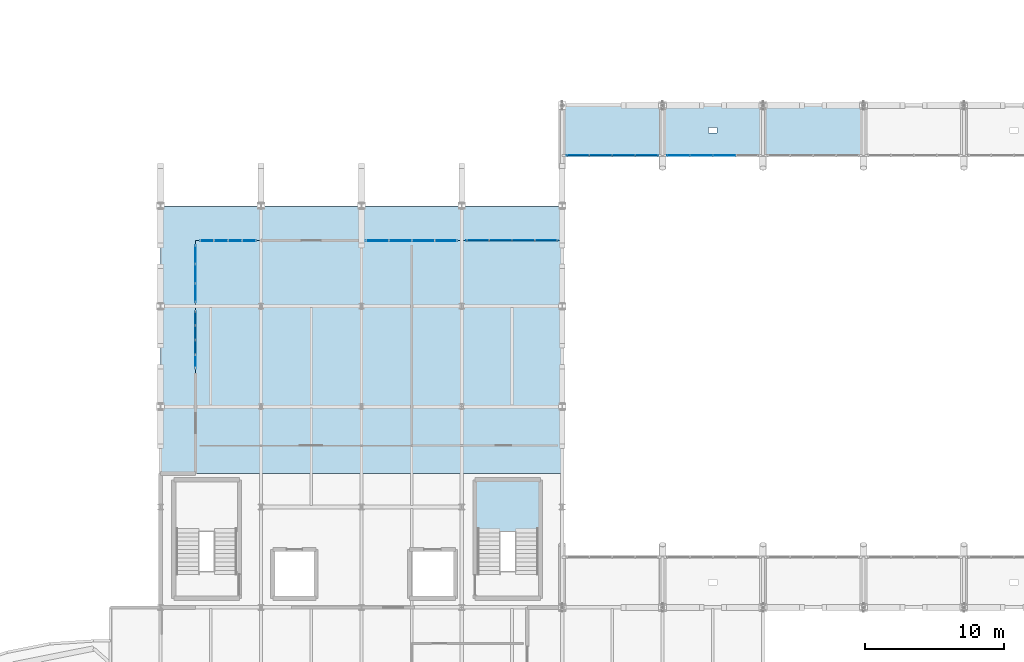
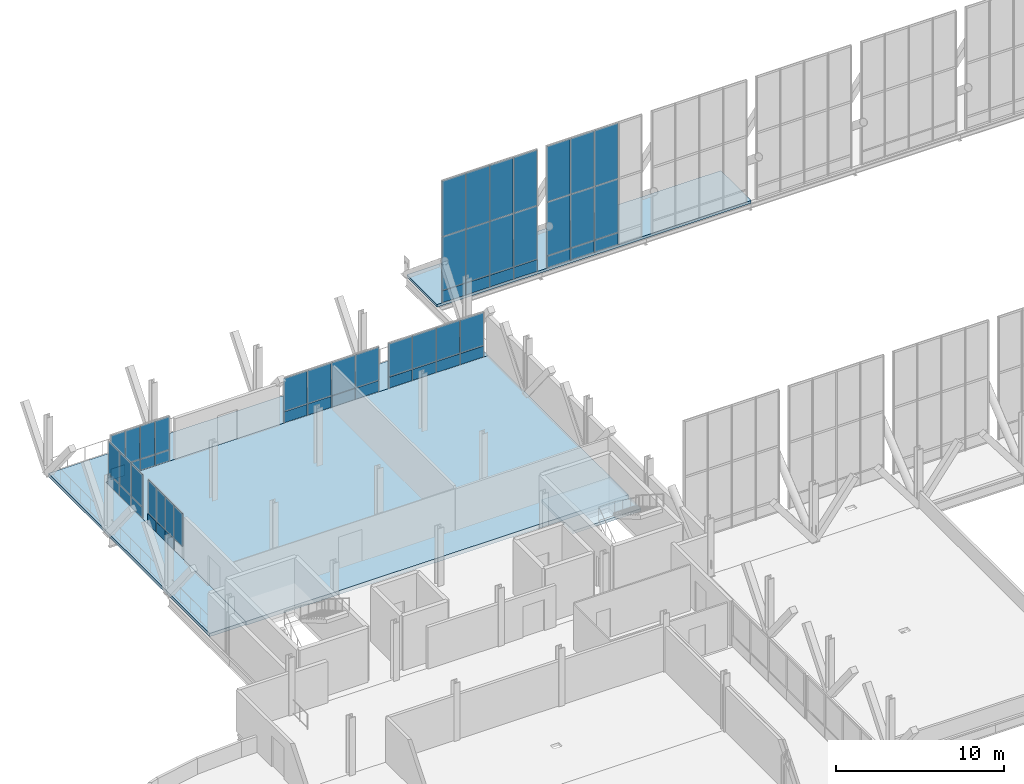
# One storey, part 78 of 102: 58 plates, 4 slabs, 8 elements without a shape of their own.
"""IFC4 building model written with IfcOpenShell, lengths in metres."""

from ifc_helpers import new_model, si_unit, direction, frame, origin, origin_2d, place, context, subcontext, project, spatial, polyline, rectangle, outline, extrude, material, layer, layer_set, type_object, element, aggregate, save


model = new_model("IFC4")

# Units and contexts
model_context = context("Model", 3, precision=1e-05, world=origin(), true_north=direction((0.0, 1.0)))
body_context = subcontext(model_context, "Body", "Model", "MODEL_VIEW")
ifc_project = project(units=[si_unit("LENGTHUNIT", "METRE"), si_unit("AREAUNIT", "SQUARE_METRE"), si_unit("VOLUMEUNIT", "CUBIC_METRE"), si_unit("PLANEANGLEUNIT", "RADIAN"), si_unit("MASSUNIT", "GRAM", prefix="KILO")], contexts=[model_context])

# Site, building, storey
site_placement = place(None, origin())
site = spatial("IfcSite", under=ifc_project, at=site_placement, CompositionType="ELEMENT")
building_placement = place(site_placement, origin())
building = spatial("IfcBuilding", under=site, at=building_placement, Name="Yarey Park Central Fire Station", CompositionType="ELEMENT")
storey_placement = place(building_placement, frame((0.0, 0.0, 6.0)))
storey = spatial("IfcBuildingStorey", under=building, at=storey_placement, Name="L02", CompositionType="ELEMENT", Elevation=6.0)

# Curtain wall, plates
ifc_material_1 = material(Name="Anodized Aluminium Frame", Category="aluminium")
curtain_wall_type_1 = type_object("IfcCurtainWallType", Name="ENV_CW_CLER_9M", PredefinedType="NOTDEFINED", material=ifc_material_1)
curtain_wall_1_placement = place(storey_placement, origin())
curtain_wall_1 = element("IfcCurtainWall", 1, at=curtain_wall_1_placement, inside=storey, type_object=curtain_wall_type_1, Name="CW_V2_CLER_N_02", PredefinedType="NOTDEFINED")
ifc_material_2 = material(Name="Insulated Aluminium Spandrel Panel", Category="aluminium")
ifc_layer_1 = layer(ifc_material_2, 0.055908203125)
ifc_layer_set_1 = layer_set([ifc_layer_1], Name="Insulated Aluminium Spandrel Panel")
plate_type_1 = type_object("IfcPlateType", Name="ENV_PNL_SPN_01", PredefinedType="CURTAIN_PANEL", material=ifc_layer_set_1)
plate_1_placement = place(storey_placement, frame((69.222412109375, 90.0, 0.04248046875), z_axis=(0.0, 0.0, 1.0), x_axis=(-1.0, 0.0, 0.0)))
plate_1 = element("IfcPlate", 2, at=plate_1_placement, type_object=plate_type_1, Name="CW_V2_CLER_N_02_PNL04", PredefinedType="CURTAIN_PANEL", context=body_context, shape_type="SweptSolid", body=[
    extrude(rectangle(XDim=1.60498046875, YDim=0.055908203125, at=origin_2d()), origin(), (0.0, 0.0, 1.0), 0.840087890625),
])
plate_2_placement = place(storey_placement, frame((67.577392578125, 90.0, 0.04248046875), z_axis=(0.0, 0.0, 1.0), x_axis=(-1.0, 0.0, 0.0)))
plate_2 = element("IfcPlate", 3, at=plate_2_placement, type_object=plate_type_1, Name="CW_V2_CLER_N_02_PNL07", PredefinedType="CURTAIN_PANEL", context=body_context, shape_type="SweptSolid", body=[
    extrude(rectangle(XDim=1.60498046875, YDim=0.055908203125, at=origin_2d()), origin(), (0.0, 0.0, 1.0), 0.840087890625),
])
plate_3_placement = place(storey_placement, frame((65.9326171875, 90.0, 0.04248046875), z_axis=(0.0, 0.0, 1.0), x_axis=(-1.0, 0.0, 0.0)))
plate_3 = element("IfcPlate", 4, at=plate_3_placement, type_object=plate_type_1, Name="CW_V2_CLER_N_02_PNL10", PredefinedType="CURTAIN_PANEL", context=body_context, shape_type="SweptSolid", body=[
    extrude(rectangle(XDim=1.60498046875, YDim=0.055908203125, at=origin_2d()), origin(), (0.0, 0.0, 1.0), 0.840087890625),
])

curtain_wall_type_2 = type_object("IfcCurtainWallType", Name="ENV_CW_V3_GALW", PredefinedType="NOTDEFINED", material=ifc_material_1)
curtain_wall_2_placement = place(storey_placement, origin())
curtain_wall_2 = element("IfcCurtainWall", 5, at=curtain_wall_2_placement, inside=storey, type_object=curtain_wall_type_2, Name="CW_L02_V3_W_036", PredefinedType="NOTDEFINED")
plate_4_placement = place(storey_placement, frame((31.300048828125, 80.148193359375, 0.04248046875), z_axis=(0.0, 0.0, 1.0), x_axis=(0.0, 1.0, 0.0)))
plate_4 = element("IfcPlate", 6, at=plate_4_placement, type_object=plate_type_1, Name="CW_L02_V3_W_036_PNL01", PredefinedType="CURTAIN_PANEL", context=body_context, shape_type="SweptSolid", body=[
    extrude(rectangle(XDim=1.336669921875, YDim=0.055908203125, at=origin_2d()), origin(), (0.0, 0.0, 1.0), 0.7900390625),
])
plate_5_placement = place(storey_placement, frame((31.300048828125, 81.52490234375, 0.04248046875), z_axis=(0.0, 0.0, 1.0), x_axis=(0.0, 1.0, 0.0)))
plate_5 = element("IfcPlate", 7, at=plate_5_placement, type_object=plate_type_1, Name="CW_L02_V3_W_036_PNL03", PredefinedType="CURTAIN_PANEL", context=body_context, shape_type="SweptSolid", body=[
    extrude(rectangle(XDim=1.336669921875, YDim=0.055908203125, at=origin_2d()), origin(), (0.0, 0.0, 1.0), 0.7900390625),
])
plate_6_placement = place(storey_placement, frame((31.300048828125, 82.901611328125, 0.04248046875), z_axis=(0.0, 0.0, 1.0), x_axis=(0.0, 1.0, 0.0)))
plate_6 = element("IfcPlate", 8, at=plate_6_placement, type_object=plate_type_1, Name="CW_L02_V3_W_036_PNL05", PredefinedType="CURTAIN_PANEL", context=body_context, shape_type="SweptSolid", body=[
    extrude(rectangle(XDim=1.336669921875, YDim=0.055908203125, at=origin_2d()), origin(), (0.0, 0.0, 1.0), 0.7900390625),
])

curtain_wall_type_3 = type_object("IfcCurtainWallType", Name="ENV_CW_V3_GALN", PredefinedType="NOTDEFINED", material=ifc_material_1)
curtain_wall_3_placement = place(storey_placement, origin())
curtain_wall_3 = element("IfcCurtainWall", 9, at=curtain_wall_3_placement, inside=storey, type_object=curtain_wall_type_3, Name="CW_L02_V3_N_040", PredefinedType="NOTDEFINED")
plate_7_placement = place(storey_placement, frame((35.179931640625, 83.89990234375, 0.04248046875), z_axis=(0.0, 0.0, 1.0), x_axis=(-1.0, 0.0, 0.0)))
plate_7 = element("IfcPlate", 10, at=plate_7_placement, type_object=plate_type_1, Name="CW_L02_V3_N_040_PNL01", PredefinedType="CURTAIN_PANEL", context=body_context, shape_type="SweptSolid", body=[
    extrude(rectangle(XDim=0.97998046875, YDim=0.055908203125, at=origin_2d()), origin(), (0.0, 0.0, 1.0), 0.7900390625),
])
plate_8_placement = place(storey_placement, frame((34.159912109375, 83.89990234375, 0.04248046875), z_axis=(0.0, 0.0, 1.0), x_axis=(-1.0, 0.0, 0.0)))
plate_8 = element("IfcPlate", 11, at=plate_8_placement, type_object=plate_type_1, Name="CW_L02_V3_N_040_PNL03", PredefinedType="CURTAIN_PANEL", context=body_context, shape_type="SweptSolid", body=[
    extrude(rectangle(XDim=0.97998046875, YDim=0.055908203125, at=origin_2d()), origin(), (0.0, 0.0, 1.0), 0.7900390625),
])
plate_9_placement = place(storey_placement, frame((33.139892578125, 83.89990234375, 0.04248046875), z_axis=(0.0, 0.0, 1.0), x_axis=(-1.0, 0.0, 0.0)))
plate_9 = element("IfcPlate", 12, at=plate_9_placement, type_object=plate_type_1, Name="CW_L02_V3_N_040_PNL05", PredefinedType="CURTAIN_PANEL", context=body_context, shape_type="SweptSolid", body=[
    extrude(rectangle(XDim=0.97998046875, YDim=0.055908203125, at=origin_2d()), origin(), (0.0, 0.0, 1.0), 0.7900390625),
])
plate_10_placement = place(storey_placement, frame((32.1201171875, 83.89990234375, 0.04248046875), z_axis=(0.0, 0.0, 1.0), x_axis=(-1.0, 0.0, 0.0)))
plate_10 = element("IfcPlate", 13, at=plate_10_placement, type_object=plate_type_1, Name="CW_L02_V3_N_040_PNL07", PredefinedType="CURTAIN_PANEL", context=body_context, shape_type="SweptSolid", body=[
    extrude(rectangle(XDim=0.97998046875, YDim=0.055908203125, at=origin_2d()), origin(), (0.0, 0.0, 1.0), 0.7900390625),
])

curtain_wall_4_placement = place(storey_placement, origin())
curtain_wall_4 = element("IfcCurtainWall", 14, at=curtain_wall_4_placement, inside=storey, type_object=curtain_wall_type_3, Name="CW_L02_V3_N_041", PredefinedType="NOTDEFINED")
ifc_layer_2 = layer(ifc_material_2, 0.068115234375)
ifc_layer_set_2 = layer_set([ifc_layer_2], Name="Insulated Aluminium Spandrel Panel")
plate_type_2 = type_object("IfcPlateType", Name="ENV_PNL_SPN_02", PredefinedType="CURTAIN_PANEL", material=ifc_layer_set_2)
plate_11_placement = place(storey_placement, frame((49.267578125, 83.89990234375, 0.04248046875), z_axis=(0.0, 0.0, 1.0), x_axis=(-1.0, 0.0, 0.0)))
plate_11 = element("IfcPlate", 15, at=plate_11_placement, type_object=plate_type_2, Name="CW_L02_V3_N_041_PNL01", PredefinedType="CURTAIN_PANEL", context=body_context, shape_type="SweptSolid", body=[
    extrude(rectangle(XDim=1.60498046875, YDim=0.068115234375, at=origin_2d()), origin(), (0.0, 0.0, 1.0), 0.7900390625),
])
plate_12_placement = place(storey_placement, frame((47.62255859375, 83.89990234375, 0.04248046875), z_axis=(0.0, 0.0, 1.0), x_axis=(-1.0, 0.0, 0.0)))
plate_12 = element("IfcPlate", 16, at=plate_12_placement, type_object=plate_type_2, Name="CW_L02_V3_N_041_PNL03", PredefinedType="CURTAIN_PANEL", context=body_context, shape_type="SweptSolid", body=[
    extrude(rectangle(XDim=1.60498046875, YDim=0.068115234375, at=origin_2d()), origin(), (0.0, 0.0, 1.0), 0.7900390625),
])
plate_13_placement = place(storey_placement, frame((45.9775390625, 83.89990234375, 0.04248046875), z_axis=(0.0, 0.0, 1.0), x_axis=(-1.0, 0.0, 0.0)))
plate_13 = element("IfcPlate", 17, at=plate_13_placement, type_object=plate_type_2, Name="CW_L02_V3_N_041_PNL05", PredefinedType="CURTAIN_PANEL", context=body_context, shape_type="SweptSolid", body=[
    extrude(rectangle(XDim=1.60498046875, YDim=0.068115234375, at=origin_2d()), origin(), (0.0, 0.0, 1.0), 0.7900390625),
])
plate_14_placement = place(storey_placement, frame((44.33251953125, 83.89990234375, 0.04248046875), z_axis=(0.0, 0.0, 1.0), x_axis=(-1.0, 0.0, 0.0)))
plate_14 = element("IfcPlate", 18, at=plate_14_placement, type_object=plate_type_2, Name="CW_L02_V3_N_041_PNL07", PredefinedType="CURTAIN_PANEL", context=body_context, shape_type="SweptSolid", body=[
    extrude(rectangle(XDim=1.60498046875, YDim=0.068115234375, at=origin_2d()), origin(), (0.0, 0.0, 1.0), 0.7900390625),
])

curtain_wall_5_placement = place(storey_placement, origin())
curtain_wall_5 = element("IfcCurtainWall", 19, at=curtain_wall_5_placement, inside=storey, type_object=curtain_wall_type_1, Name="CW_V2_CLER_N_01", PredefinedType="NOTDEFINED")
ifc_layer_3 = layer(ifc_material_2, 0.077880859375)
ifc_layer_set_3 = layer_set([ifc_layer_3], Name="Insulated Aluminium Spandrel Panel")
plate_type_3 = type_object("IfcPlateType", Name="ENV_PNL_SPN_03", PredefinedType="CURTAIN_PANEL", material=ifc_layer_set_3)
plate_15_placement = place(storey_placement, frame((63.66748046875, 90.0, 0.04248046875), z_axis=(0.0, 0.0, 1.0), x_axis=(-1.0, 0.0, 0.0)))
plate_15 = element("IfcPlate", 20, at=plate_15_placement, type_object=plate_type_3, Name="CW_V2_CLER_N_01_PNL01", PredefinedType="CURTAIN_PANEL", context=body_context, shape_type="SweptSolid", body=[
    extrude(rectangle(XDim=1.60498046875, YDim=0.077880859375, at=origin_2d()), origin(), (0.0, 0.0, 1.0), 0.840087890625),
])
plate_16_placement = place(storey_placement, frame((62.0224609375, 90.0, 0.04248046875), z_axis=(0.0, 0.0, 1.0), x_axis=(-1.0, 0.0, 0.0)))
plate_16 = element("IfcPlate", 21, at=plate_16_placement, type_object=plate_type_3, Name="CW_V2_CLER_N_01_PNL04", PredefinedType="CURTAIN_PANEL", context=body_context, shape_type="SweptSolid", body=[
    extrude(rectangle(XDim=1.60498046875, YDim=0.077880859375, at=origin_2d()), origin(), (0.0, 0.0, 1.0), 0.840087890625),
])
plate_17_placement = place(storey_placement, frame((60.37744140625, 90.0, 0.04248046875), z_axis=(0.0, 0.0, 1.0), x_axis=(-1.0, 0.0, 0.0)))
plate_17 = element("IfcPlate", 22, at=plate_17_placement, type_object=plate_type_3, Name="CW_V2_CLER_N_01_PNL07", PredefinedType="CURTAIN_PANEL", context=body_context, shape_type="SweptSolid", body=[
    extrude(rectangle(XDim=1.60498046875, YDim=0.077880859375, at=origin_2d()), origin(), (0.0, 0.0, 1.0), 0.840087890625),
])
plate_18_placement = place(storey_placement, frame((58.732421875, 90.0, 0.04248046875), z_axis=(0.0, 0.0, 1.0), x_axis=(-1.0, 0.0, 0.0)))
plate_18 = element("IfcPlate", 23, at=plate_18_placement, type_object=plate_type_3, Name="CW_V2_CLER_N_01_PNL10", PredefinedType="CURTAIN_PANEL", context=body_context, shape_type="SweptSolid", body=[
    extrude(rectangle(XDim=1.60498046875, YDim=0.077880859375, at=origin_2d()), origin(), (0.0, 0.0, 1.0), 0.840087890625),
])

curtain_wall_6_placement = place(storey_placement, origin())
curtain_wall_6 = element("IfcCurtainWall", 24, at=curtain_wall_6_placement, inside=storey, type_object=curtain_wall_type_3, Name="CW_L02_V3_N_042", PredefinedType="NOTDEFINED")
plate_19_placement = place(storey_placement, frame((56.467529296875, 83.89990234375, 0.04248046875), z_axis=(0.0, 0.0, 1.0), x_axis=(-1.0, 0.0, 0.0)))
plate_19 = element("IfcPlate", 25, at=plate_19_placement, type_object=plate_type_3, Name="CW_L02_V3_N_042_PNL01", PredefinedType="CURTAIN_PANEL", context=body_context, shape_type="SweptSolid", body=[
    extrude(rectangle(XDim=1.60498046875, YDim=0.077880859375, at=origin_2d()), origin(), (0.0, 0.0, 1.0), 0.7900390625),
])
plate_20_placement = place(storey_placement, frame((54.822509765625, 83.89990234375, 0.04248046875), z_axis=(0.0, 0.0, 1.0), x_axis=(-1.0, 0.0, 0.0)))
plate_20 = element("IfcPlate", 26, at=plate_20_placement, type_object=plate_type_3, Name="CW_L02_V3_N_042_PNL03", PredefinedType="CURTAIN_PANEL", context=body_context, shape_type="SweptSolid", body=[
    extrude(rectangle(XDim=1.60498046875, YDim=0.077880859375, at=origin_2d()), origin(), (0.0, 0.0, 1.0), 0.7900390625),
])
plate_21_placement = place(storey_placement, frame((53.177490234375, 83.89990234375, 0.04248046875), z_axis=(0.0, 0.0, 1.0), x_axis=(-1.0, 0.0, 0.0)))
plate_21 = element("IfcPlate", 27, at=plate_21_placement, type_object=plate_type_3, Name="CW_L02_V3_N_042_PNL05", PredefinedType="CURTAIN_PANEL", context=body_context, shape_type="SweptSolid", body=[
    extrude(rectangle(XDim=1.60498046875, YDim=0.077880859375, at=origin_2d()), origin(), (0.0, 0.0, 1.0), 0.7900390625),
])
plate_22_placement = place(storey_placement, frame((51.532470703125, 83.89990234375, 0.04248046875), z_axis=(0.0, 0.0, 1.0), x_axis=(-1.0, 0.0, 0.0)))
plate_22 = element("IfcPlate", 28, at=plate_22_placement, type_object=plate_type_3, Name="CW_L02_V3_N_042_PNL07", PredefinedType="CURTAIN_PANEL", context=body_context, shape_type="SweptSolid", body=[
    extrude(rectangle(XDim=1.60498046875, YDim=0.077880859375, at=origin_2d()), origin(), (0.0, 0.0, 1.0), 0.7900390625),
])

curtain_wall_7_placement = place(storey_placement, origin())
curtain_wall_7 = element("IfcCurtainWall", 29, at=curtain_wall_7_placement, inside=storey, type_object=curtain_wall_type_2, Name="CW_L02_V3_W_035", PredefinedType="NOTDEFINED")
ifc_layer_4 = layer(ifc_material_2, 0.087890625)
ifc_layer_set_4 = layer_set([ifc_layer_4], Name="Insulated Aluminium Spandrel Panel")
plate_type_4 = type_object("IfcPlateType", Name="ENV_PNL_SPN_04", PredefinedType="CURTAIN_PANEL", material=ifc_layer_set_4)
plate_23_placement = place(storey_placement, frame((31.300048828125, 76.2587890625, 0.04248046875), z_axis=(0.0, 0.0, 1.0), x_axis=(0.0, 1.0, 0.0)))
plate_23 = element("IfcPlate", 30, at=plate_23_placement, type_object=plate_type_4, Name="CW_L02_V3_W_035_PNL03", PredefinedType="CURTAIN_PANEL", context=body_context, shape_type="SweptSolid", body=[
    extrude(rectangle(XDim=0.992431640625, YDim=0.087890625, at=origin_2d()), origin(), (0.0, 0.0, 1.0), 0.7900390625),
])
plate_24_placement = place(storey_placement, frame((31.300048828125, 77.291259765625, 0.04248046875), z_axis=(0.0, 0.0, 1.0), x_axis=(0.0, 1.0, 0.0)))
plate_24 = element("IfcPlate", 31, at=plate_24_placement, type_object=plate_type_4, Name="CW_L02_V3_W_035_PNL05", PredefinedType="CURTAIN_PANEL", context=body_context, shape_type="SweptSolid", body=[
    extrude(rectangle(XDim=0.992431640625, YDim=0.087890625, at=origin_2d()), origin(), (0.0, 0.0, 1.0), 0.7900390625),
])
plate_25_placement = place(storey_placement, frame((31.300048828125, 78.32373046875, 0.04248046875), z_axis=(0.0, 0.0, 1.0), x_axis=(0.0, 1.0, 0.0)))
plate_25 = element("IfcPlate", 32, at=plate_25_placement, type_object=plate_type_4, Name="CW_L02_V3_W_035_PNL07", PredefinedType="CURTAIN_PANEL", context=body_context, shape_type="SweptSolid", body=[
    extrude(rectangle(XDim=0.992431640625, YDim=0.087890625, at=origin_2d()), origin(), (0.0, 0.0, 1.0), 0.7900390625),
])

# Plate
ifc_material_3 = material(Name="Laminated Hurricane Low-E Glass", Category="glass")
ifc_layer_5 = layer(ifc_material_3, 0.02392578125)
ifc_layer_set_5 = layer_set([ifc_layer_5], Name="Laminated Hurricane Low-E Glass")
plate_type_5 = type_object("IfcPlateType", Name="ENV_PNL_VIS_01", PredefinedType="CURTAIN_PANEL", material=ifc_layer_set_5)
plate_26_placement = place(storey_placement, frame((69.222412109375, 90.0, 0.91748046875), z_axis=(0.0, 0.0, 1.0), x_axis=(-1.0, 0.0, 0.0)))
plate_26 = element("IfcPlate", 33, at=plate_26_placement, type_object=plate_type_5, Name="CW_V2_CLER_N_02_PNL05", PredefinedType="CURTAIN_PANEL", context=body_context, shape_type="SweptSolid", body=[
    extrude(rectangle(XDim=1.60498046875, YDim=0.02392578125, at=origin_2d()), origin(), (0.0, 0.0, 1.0), 3.87109375),
])

plate_27_placement = place(storey_placement, frame((69.222412109375, 90.0, 4.82373046875), z_axis=(0.0, 0.0, 1.0), x_axis=(-1.0, 0.0, 0.0)))
plate_27 = element("IfcPlate", 34, at=plate_27_placement, type_object=plate_type_5, Name="CW_V2_CLER_N_02_PNL06", PredefinedType="CURTAIN_PANEL", context=body_context, shape_type="SweptSolid", body=[
    extrude(rectangle(XDim=1.60498046875, YDim=0.02392578125, at=origin_2d()), origin(), (0.0, 0.0, 1.0), 4.033935546875),
])

plate_28_placement = place(storey_placement, frame((67.577392578125, 90.0, 0.91748046875), z_axis=(0.0, 0.0, 1.0), x_axis=(-1.0, 0.0, 0.0)))
plate_28 = element("IfcPlate", 35, at=plate_28_placement, type_object=plate_type_5, Name="CW_V2_CLER_N_02_PNL08", PredefinedType="CURTAIN_PANEL", context=body_context, shape_type="SweptSolid", body=[
    extrude(rectangle(XDim=1.60498046875, YDim=0.02392578125, at=origin_2d()), origin(), (0.0, 0.0, 1.0), 3.87109375),
])

plate_29_placement = place(storey_placement, frame((67.577392578125, 90.0, 4.82373046875), z_axis=(0.0, 0.0, 1.0), x_axis=(-1.0, 0.0, 0.0)))
plate_29 = element("IfcPlate", 36, at=plate_29_placement, type_object=plate_type_5, Name="CW_V2_CLER_N_02_PNL09", PredefinedType="CURTAIN_PANEL", context=body_context, shape_type="SweptSolid", body=[
    extrude(rectangle(XDim=1.60498046875, YDim=0.02392578125, at=origin_2d()), origin(), (0.0, 0.0, 1.0), 4.033935546875),
])

plate_30_placement = place(storey_placement, frame((65.9326171875, 90.0, 0.91748046875), z_axis=(0.0, 0.0, 1.0), x_axis=(-1.0, 0.0, 0.0)))
plate_30 = element("IfcPlate", 37, at=plate_30_placement, type_object=plate_type_5, Name="CW_V2_CLER_N_02_PNL11", PredefinedType="CURTAIN_PANEL", context=body_context, shape_type="SweptSolid", body=[
    extrude(rectangle(XDim=1.60498046875, YDim=0.02392578125, at=origin_2d()), origin(), (0.0, 0.0, 1.0), 3.87109375),
])

plate_31_placement = place(storey_placement, frame((65.9326171875, 90.0, 4.82373046875), z_axis=(0.0, 0.0, 1.0), x_axis=(-1.0, 0.0, 0.0)))
plate_31 = element("IfcPlate", 38, at=plate_31_placement, type_object=plate_type_5, Name="CW_V2_CLER_N_02_PNL12", PredefinedType="CURTAIN_PANEL", context=body_context, shape_type="SweptSolid", body=[
    extrude(rectangle(XDim=1.60498046875, YDim=0.02392578125, at=origin_2d()), origin(), (0.0, 0.0, 1.0), 4.033935546875),
])

aggregate(curtain_wall_1, [plate_1, plate_26, plate_27, plate_2, plate_28, plate_29, plate_3, plate_30, plate_31])

plate_32_placement = place(storey_placement, frame((31.300048828125, 80.148193359375, 0.867431640625), z_axis=(0.0, 0.0, 1.0), x_axis=(0.0, 1.0, 0.0)))
plate_32 = element("IfcPlate", 39, at=plate_32_placement, type_object=plate_type_5, Name="CW_L02_V3_W_036_PNL02", PredefinedType="CURTAIN_PANEL", context=body_context, shape_type="SweptSolid", body=[
    extrude(rectangle(XDim=1.336669921875, YDim=0.02392578125, at=origin_2d()), origin(), (0.0, 0.0, 1.0), 2.3369140625),
])

plate_33_placement = place(storey_placement, frame((31.300048828125, 81.52490234375, 0.867431640625), z_axis=(0.0, 0.0, 1.0), x_axis=(0.0, 1.0, 0.0)))
plate_33 = element("IfcPlate", 40, at=plate_33_placement, type_object=plate_type_5, Name="CW_L02_V3_W_036_PNL04", PredefinedType="CURTAIN_PANEL", context=body_context, shape_type="SweptSolid", body=[
    extrude(rectangle(XDim=1.336669921875, YDim=0.02392578125, at=origin_2d()), origin(), (0.0, 0.0, 1.0), 2.3369140625),
])

plate_34_placement = place(storey_placement, frame((31.300048828125, 82.901611328125, 0.867431640625), z_axis=(0.0, 0.0, 1.0), x_axis=(0.0, 1.0, 0.0)))
plate_34 = element("IfcPlate", 41, at=plate_34_placement, type_object=plate_type_5, Name="CW_L02_V3_W_036_PNL06", PredefinedType="CURTAIN_PANEL", context=body_context, shape_type="SweptSolid", body=[
    extrude(rectangle(XDim=1.336669921875, YDim=0.02392578125, at=origin_2d()), origin(), (0.0, 0.0, 1.0), 2.3369140625),
])

aggregate(curtain_wall_2, [plate_4, plate_32, plate_5, plate_33, plate_6, plate_34])

plate_35_placement = place(storey_placement, frame((35.179931640625, 83.89990234375, 0.86767578125), z_axis=(0.0, 0.0, 1.0), x_axis=(-1.0, 0.0, 0.0)))
plate_35 = element("IfcPlate", 42, at=plate_35_placement, type_object=plate_type_5, Name="CW_L02_V3_N_040_PNL02", PredefinedType="CURTAIN_PANEL", context=body_context, shape_type="SweptSolid", body=[
    extrude(rectangle(XDim=0.97998046875, YDim=0.02392578125, at=origin_2d()), origin(), (0.0, 0.0, 1.0), 2.389892578125),
])

plate_36_placement = place(storey_placement, frame((34.159912109375, 83.89990234375, 0.86767578125), z_axis=(0.0, 0.0, 1.0), x_axis=(-1.0, 0.0, 0.0)))
plate_36 = element("IfcPlate", 43, at=plate_36_placement, type_object=plate_type_5, Name="CW_L02_V3_N_040_PNL04", PredefinedType="CURTAIN_PANEL", context=body_context, shape_type="SweptSolid", body=[
    extrude(rectangle(XDim=0.97998046875, YDim=0.02392578125, at=origin_2d()), origin(), (0.0, 0.0, 1.0), 2.389892578125),
])

plate_37_placement = place(storey_placement, frame((33.139892578125, 83.89990234375, 0.86767578125), z_axis=(0.0, 0.0, 1.0), x_axis=(-1.0, 0.0, 0.0)))
plate_37 = element("IfcPlate", 44, at=plate_37_placement, type_object=plate_type_5, Name="CW_L02_V3_N_040_PNL06", PredefinedType="CURTAIN_PANEL", context=body_context, shape_type="SweptSolid", body=[
    extrude(rectangle(XDim=0.97998046875, YDim=0.02392578125, at=origin_2d()), origin(), (0.0, 0.0, 1.0), 2.389892578125),
])

plate_38_placement = place(storey_placement, frame((32.1201171875, 83.89990234375, 0.86767578125), z_axis=(0.0, 0.0, 1.0), x_axis=(-1.0, 0.0, 0.0)))
plate_38 = element("IfcPlate", 45, at=plate_38_placement, type_object=plate_type_5, Name="CW_L02_V3_N_040_PNL08", PredefinedType="CURTAIN_PANEL", context=body_context, shape_type="SweptSolid", body=[
    extrude(rectangle(XDim=0.97998046875, YDim=0.02392578125, at=origin_2d()), origin(), (0.0, 0.0, 1.0), 2.389892578125),
])

aggregate(curtain_wall_3, [plate_7, plate_35, plate_8, plate_36, plate_9, plate_37, plate_10, plate_38])

ifc_layer_6 = layer(ifc_material_3, 0.031982421875)
ifc_layer_set_6 = layer_set([ifc_layer_6], Name="Laminated Hurricane Low-E Glass")
plate_type_6 = type_object("IfcPlateType", Name="ENV_PNL_VIS_02", PredefinedType="CURTAIN_PANEL", material=ifc_layer_set_6)
plate_39_placement = place(storey_placement, frame((49.267578125, 83.89990234375, 0.86767578125), z_axis=(0.0, 0.0, 1.0), x_axis=(-1.0, 0.0, 0.0)))
plate_39 = element("IfcPlate", 46, at=plate_39_placement, type_object=plate_type_6, Name="CW_L02_V3_N_041_PNL02", PredefinedType="CURTAIN_PANEL", context=body_context, shape_type="SweptSolid", body=[
    extrude(rectangle(XDim=1.60498046875, YDim=0.031982421875, at=origin_2d()), origin(), (0.0, 0.0, 1.0), 2.389892578125),
])

plate_40_placement = place(storey_placement, frame((47.62255859375, 83.89990234375, 0.86767578125), z_axis=(0.0, 0.0, 1.0), x_axis=(-1.0, 0.0, 0.0)))
plate_40 = element("IfcPlate", 47, at=plate_40_placement, type_object=plate_type_6, Name="CW_L02_V3_N_041_PNL04", PredefinedType="CURTAIN_PANEL", context=body_context, shape_type="SweptSolid", body=[
    extrude(rectangle(XDim=1.60498046875, YDim=0.031982421875, at=origin_2d()), origin(), (0.0, 0.0, 1.0), 2.389892578125),
])

plate_41_placement = place(storey_placement, frame((45.9775390625, 83.89990234375, 0.86767578125), z_axis=(0.0, 0.0, 1.0), x_axis=(-1.0, 0.0, 0.0)))
plate_41 = element("IfcPlate", 48, at=plate_41_placement, type_object=plate_type_6, Name="CW_L02_V3_N_041_PNL06", PredefinedType="CURTAIN_PANEL", context=body_context, shape_type="SweptSolid", body=[
    extrude(rectangle(XDim=1.60498046875, YDim=0.031982421875, at=origin_2d()), origin(), (0.0, 0.0, 1.0), 2.389892578125),
])

plate_42_placement = place(storey_placement, frame((44.33251953125, 83.89990234375, 0.86767578125), z_axis=(0.0, 0.0, 1.0), x_axis=(-1.0, 0.0, 0.0)))
plate_42 = element("IfcPlate", 49, at=plate_42_placement, type_object=plate_type_6, Name="CW_L02_V3_N_041_PNL08", PredefinedType="CURTAIN_PANEL", context=body_context, shape_type="SweptSolid", body=[
    extrude(rectangle(XDim=1.60498046875, YDim=0.031982421875, at=origin_2d()), origin(), (0.0, 0.0, 1.0), 2.389892578125),
])

aggregate(curtain_wall_4, [plate_11, plate_39, plate_12, plate_40, plate_13, plate_41, plate_14, plate_42])

ifc_layer_7 = layer(ifc_material_3, 0.0380859375)
ifc_layer_set_7 = layer_set([ifc_layer_7], Name="Laminated Hurricane Low-E Glass")
plate_type_7 = type_object("IfcPlateType", Name="ENV_PNL_VIS_03", PredefinedType="CURTAIN_PANEL", material=ifc_layer_set_7)
plate_43_placement = place(storey_placement, frame((63.66748046875, 90.0, 0.91748046875), z_axis=(0.0, 0.0, 1.0), x_axis=(-1.0, 0.0, 0.0)))
plate_43 = element("IfcPlate", 50, at=plate_43_placement, type_object=plate_type_7, Name="CW_V2_CLER_N_01_PNL02", PredefinedType="CURTAIN_PANEL", context=body_context, shape_type="SweptSolid", body=[
    extrude(rectangle(XDim=1.60498046875, YDim=0.0380859375, at=origin_2d()), origin(), (0.0, 0.0, 1.0), 3.87109375),
])

plate_44_placement = place(storey_placement, frame((63.66748046875, 90.0, 4.82373046875), z_axis=(0.0, 0.0, 1.0), x_axis=(-1.0, 0.0, 0.0)))
plate_44 = element("IfcPlate", 51, at=plate_44_placement, type_object=plate_type_7, Name="CW_V2_CLER_N_01_PNL03", PredefinedType="CURTAIN_PANEL", context=body_context, shape_type="SweptSolid", body=[
    extrude(rectangle(XDim=1.60498046875, YDim=0.0380859375, at=origin_2d()), origin(), (0.0, 0.0, 1.0), 4.033935546875),
])

plate_45_placement = place(storey_placement, frame((62.0224609375, 90.0, 0.91748046875), z_axis=(0.0, 0.0, 1.0), x_axis=(-1.0, 0.0, 0.0)))
plate_45 = element("IfcPlate", 52, at=plate_45_placement, type_object=plate_type_7, Name="CW_V2_CLER_N_01_PNL05", PredefinedType="CURTAIN_PANEL", context=body_context, shape_type="SweptSolid", body=[
    extrude(rectangle(XDim=1.60498046875, YDim=0.0380859375, at=origin_2d()), origin(), (0.0, 0.0, 1.0), 3.87109375),
])

plate_46_placement = place(storey_placement, frame((62.0224609375, 90.0, 4.82373046875), z_axis=(0.0, 0.0, 1.0), x_axis=(-1.0, 0.0, 0.0)))
plate_46 = element("IfcPlate", 53, at=plate_46_placement, type_object=plate_type_7, Name="CW_V2_CLER_N_01_PNL06", PredefinedType="CURTAIN_PANEL", context=body_context, shape_type="SweptSolid", body=[
    extrude(rectangle(XDim=1.60498046875, YDim=0.0380859375, at=origin_2d()), origin(), (0.0, 0.0, 1.0), 4.033935546875),
])

plate_47_placement = place(storey_placement, frame((60.37744140625, 90.0, 0.91748046875), z_axis=(0.0, 0.0, 1.0), x_axis=(-1.0, 0.0, 0.0)))
plate_47 = element("IfcPlate", 54, at=plate_47_placement, type_object=plate_type_7, Name="CW_V2_CLER_N_01_PNL08", PredefinedType="CURTAIN_PANEL", context=body_context, shape_type="SweptSolid", body=[
    extrude(rectangle(XDim=1.60498046875, YDim=0.0380859375, at=origin_2d()), origin(), (0.0, 0.0, 1.0), 3.87109375),
])

plate_48_placement = place(storey_placement, frame((60.37744140625, 90.0, 4.82373046875), z_axis=(0.0, 0.0, 1.0), x_axis=(-1.0, 0.0, 0.0)))
plate_48 = element("IfcPlate", 55, at=plate_48_placement, type_object=plate_type_7, Name="CW_V2_CLER_N_01_PNL09", PredefinedType="CURTAIN_PANEL", context=body_context, shape_type="SweptSolid", body=[
    extrude(rectangle(XDim=1.60498046875, YDim=0.0380859375, at=origin_2d()), origin(), (0.0, 0.0, 1.0), 4.033935546875),
])

plate_49_placement = place(storey_placement, frame((58.732421875, 90.0, 0.91748046875), z_axis=(0.0, 0.0, 1.0), x_axis=(-1.0, 0.0, 0.0)))
plate_49 = element("IfcPlate", 56, at=plate_49_placement, type_object=plate_type_7, Name="CW_V2_CLER_N_01_PNL11", PredefinedType="CURTAIN_PANEL", context=body_context, shape_type="SweptSolid", body=[
    extrude(rectangle(XDim=1.60498046875, YDim=0.0380859375, at=origin_2d()), origin(), (0.0, 0.0, 1.0), 3.87109375),
])

plate_50_placement = place(storey_placement, frame((58.732421875, 90.0, 4.82373046875), z_axis=(0.0, 0.0, 1.0), x_axis=(-1.0, 0.0, 0.0)))
plate_50 = element("IfcPlate", 57, at=plate_50_placement, type_object=plate_type_7, Name="CW_V2_CLER_N_01_PNL12", PredefinedType="CURTAIN_PANEL", context=body_context, shape_type="SweptSolid", body=[
    extrude(rectangle(XDim=1.60498046875, YDim=0.0380859375, at=origin_2d()), origin(), (0.0, 0.0, 1.0), 4.033935546875),
])

aggregate(curtain_wall_5, [plate_15, plate_43, plate_44, plate_16, plate_45, plate_46, plate_17, plate_47, plate_48, plate_18, plate_49, plate_50])

plate_51_placement = place(storey_placement, frame((56.467529296875, 83.89990234375, 0.86767578125), z_axis=(0.0, 0.0, 1.0), x_axis=(-1.0, 0.0, 0.0)))
plate_51 = element("IfcPlate", 58, at=plate_51_placement, type_object=plate_type_7, Name="CW_L02_V3_N_042_PNL02", PredefinedType="CURTAIN_PANEL", context=body_context, shape_type="SweptSolid", body=[
    extrude(rectangle(XDim=1.60498046875, YDim=0.0380859375, at=origin_2d()), origin(), (0.0, 0.0, 1.0), 2.389892578125),
])

plate_52_placement = place(storey_placement, frame((54.822509765625, 83.89990234375, 0.86767578125), z_axis=(0.0, 0.0, 1.0), x_axis=(-1.0, 0.0, 0.0)))
plate_52 = element("IfcPlate", 59, at=plate_52_placement, type_object=plate_type_7, Name="CW_L02_V3_N_042_PNL04", PredefinedType="CURTAIN_PANEL", context=body_context, shape_type="SweptSolid", body=[
    extrude(rectangle(XDim=1.60498046875, YDim=0.0380859375, at=origin_2d()), origin(), (0.0, 0.0, 1.0), 2.389892578125),
])

plate_53_placement = place(storey_placement, frame((53.177490234375, 83.89990234375, 0.86767578125), z_axis=(0.0, 0.0, 1.0), x_axis=(-1.0, 0.0, 0.0)))
plate_53 = element("IfcPlate", 60, at=plate_53_placement, type_object=plate_type_7, Name="CW_L02_V3_N_042_PNL06", PredefinedType="CURTAIN_PANEL", context=body_context, shape_type="SweptSolid", body=[
    extrude(rectangle(XDim=1.60498046875, YDim=0.0380859375, at=origin_2d()), origin(), (0.0, 0.0, 1.0), 2.389892578125),
])

plate_54_placement = place(storey_placement, frame((51.532470703125, 83.89990234375, 0.86767578125), z_axis=(0.0, 0.0, 1.0), x_axis=(-1.0, 0.0, 0.0)))
plate_54 = element("IfcPlate", 61, at=plate_54_placement, type_object=plate_type_7, Name="CW_L02_V3_N_042_PNL08", PredefinedType="CURTAIN_PANEL", context=body_context, shape_type="SweptSolid", body=[
    extrude(rectangle(XDim=1.60498046875, YDim=0.0380859375, at=origin_2d()), origin(), (0.0, 0.0, 1.0), 2.389892578125),
])

aggregate(curtain_wall_6, [plate_19, plate_51, plate_20, plate_52, plate_21, plate_53, plate_22, plate_54])

ifc_layer_8 = layer(ifc_material_3, 0.0458984375)
ifc_layer_set_8 = layer_set([ifc_layer_8], Name="Laminated Hurricane Low-E Glass")
plate_type_8 = type_object("IfcPlateType", Name="ENV_PNL_VIS_04", PredefinedType="CURTAIN_PANEL", material=ifc_layer_set_8)
plate_55_placement = place(storey_placement, frame((31.300048828125, 75.226318359375, 0.86767578125), z_axis=(0.0, 0.0, 1.0), x_axis=(0.0, 1.0, 0.0)))
plate_55 = element("IfcPlate", 62, at=plate_55_placement, type_object=plate_type_8, Name="CW_L02_V3_W_035_PNL02", PredefinedType="CURTAIN_PANEL", context=body_context, shape_type="SweptSolid", body=[
    extrude(rectangle(XDim=0.992431640625, YDim=0.0458984375, at=origin_2d()), origin(), (0.0, 0.0, 1.0), 2.389892578125),
])

plate_56_placement = place(storey_placement, frame((31.300048828125, 76.2587890625, 0.86767578125), z_axis=(0.0, 0.0, 1.0), x_axis=(0.0, 1.0, 0.0)))
plate_56 = element("IfcPlate", 63, at=plate_56_placement, type_object=plate_type_8, Name="CW_L02_V3_W_035_PNL04", PredefinedType="CURTAIN_PANEL", context=body_context, shape_type="SweptSolid", body=[
    extrude(rectangle(XDim=0.992431640625, YDim=0.0458984375, at=origin_2d()), origin(), (0.0, 0.0, 1.0), 2.389892578125),
])

plate_57_placement = place(storey_placement, frame((31.300048828125, 77.291259765625, 0.86767578125), z_axis=(0.0, 0.0, 1.0), x_axis=(0.0, 1.0, 0.0)))
plate_57 = element("IfcPlate", 64, at=plate_57_placement, type_object=plate_type_8, Name="CW_L02_V3_W_035_PNL06", PredefinedType="CURTAIN_PANEL", context=body_context, shape_type="SweptSolid", body=[
    extrude(rectangle(XDim=0.992431640625, YDim=0.0458984375, at=origin_2d()), origin(), (0.0, 0.0, 1.0), 2.389892578125),
])

plate_58_placement = place(storey_placement, frame((31.300048828125, 78.32373046875, 0.86767578125), z_axis=(0.0, 0.0, 1.0), x_axis=(0.0, 1.0, 0.0)))
plate_58 = element("IfcPlate", 65, at=plate_58_placement, type_object=plate_type_8, Name="CW_L02_V3_W_035_PNL08", PredefinedType="CURTAIN_PANEL", context=body_context, shape_type="SweptSolid", body=[
    extrude(rectangle(XDim=0.992431640625, YDim=0.0458984375, at=origin_2d()), origin(), (0.0, 0.0, 1.0), 2.389892578125),
])

aggregate(curtain_wall_7, [plate_55, plate_23, plate_56, plate_24, plate_57, plate_25, plate_58])

# Stair, slab
ifc_material_4 = material(Name="Concrete C40/50", Category="concrete")
stair_type = type_object("IfcStairType", Name="INT_ST_2RUN_150_H42", PredefinedType="USERDEFINED", material=ifc_material_4)
stair_placement = place(storey_placement, origin())
stair = element("IfcStair", 66, at=stair_placement, inside=storey, type_object=stair_type, Name="Exit Stair ST-4 L02", ObjectType="TWO_RUN_STAIR", PredefinedType="USERDEFINED")
ifc_layer_9 = layer(ifc_material_4, 0.205078125)
ifc_layer_set_9 = layer_set([ifc_layer_9], Name="Concrete C40/50")
slab_type_1 = type_object("IfcSlabType", Name="INT_SLAB_LND205", PredefinedType="LANDING", material=ifc_layer_set_9)
slab_1_placement = place(storey_placement, frame((0.0, 0.0, 1.89501953125)))
slab_1 = element("IfcSlab", 67, at=slab_1_placement, type_object=slab_type_1, Name="STAIR_C4_L02_LND", PredefinedType="LANDING", context=body_context, shape_type="SweptSolid", body=[
    extrude(outline(polyline([(51.35009765625, 63.0), (56.050048828125, 63.0), (56.050048828125, 66.75), (51.35009765625, 66.75), (51.35009765625, 63.0)])), origin(), (0.0, 0.0, 1.0), 0.205078125),
])
aggregate(stair, [slab_1])

# Slabs
ifc_layer_10 = layer(ifc_material_4, 0.195068359375)
ifc_layer_set_10 = layer_set([ifc_layer_10], Name="Concrete C40/50")
slab_type_2 = type_object("IfcSlabType", Name="STR_ROOF_FLAT195", PredefinedType="ROOF", material=ifc_layer_set_10)
slab_2_placement = place(storey_placement, frame((0.0, 0.0, -0.195068359375)))
element("IfcSlab", 68, at=slab_2_placement, inside=storey, type_object=slab_type_2, Name="ROOF_L02_V2_EAVE_N1", PredefinedType="ROOF", context=body_context, shape_type="SweptSolid", body=[
    extrude(outline(polyline([(57.60009765625, 90.0), (79.199951171875, 90.0), (79.199951171875, 93.60009765625), (57.60009765625, 93.60009765625), (57.60009765625, 90.0)]), holes=[polyline([(68.10009765625, 91.60009765625), (68.699951171875, 91.60009765625), (68.699951171875, 92.0), (68.10009765625, 92.0), (68.10009765625, 91.60009765625)])]), origin(), (0.0, 0.0, 1.0), 0.195068359375),
])
ifc_layer_11 = layer(ifc_material_4, 0.284912109375)
ifc_layer_set_11 = layer_set([ifc_layer_11], Name="Concrete C40/50")
slab_type_3 = type_object("IfcSlabType", Name="STR_SLAB_F285", PredefinedType="FLOOR", material=ifc_layer_set_11)
slab_3_placement = place(storey_placement, frame((0.0, 0.0, -0.284912109375)))
element("IfcSlab", 69, at=slab_3_placement, inside=storey, type_object=slab_type_3, Name="SLAB_L02_V3_GAL", PredefinedType="FLOOR", context=body_context, shape_type="SweptSolid", body=[
    extrude(outline(polyline([(31.300048828125, 67.199951171875), (57.60009765625, 67.199951171875), (57.60009765625, 83.89990234375), (31.300048828125, 83.89990234375), (31.300048828125, 67.199951171875)])), origin(), (0.0, 0.0, 1.0), 0.284912109375),
])
ifc_layer_12 = layer(ifc_material_4, 0.235107421875)
ifc_layer_set_12 = layer_set([ifc_layer_12], Name="Concrete C40/50")
slab_type_4 = type_object("IfcSlabType", Name="STR_SLAB_TER235", PredefinedType="FLOOR", material=ifc_layer_set_12)
slab_4_placement = place(storey_placement, frame((0.0, 0.0, -0.235107421875)))
element("IfcSlab", 70, at=slab_4_placement, inside=storey, type_object=slab_type_4, Name="SLAB_L02_V3_VERANDA", PredefinedType="FLOOR", context=body_context, shape_type="SweptSolid", body=[
    extrude(outline(polyline([(28.800048828125, 67.199951171875), (31.300048828125, 67.199951171875), (31.300048828125, 83.89990234375), (57.60009765625, 83.89990234375), (57.60009765625, 86.39990234375), (28.800048828125, 86.39990234375), (28.800048828125, 67.199951171875)])), origin(), (0.0, 0.0, 1.0), 0.235107421875),
])

save(model, "model.ifc")
